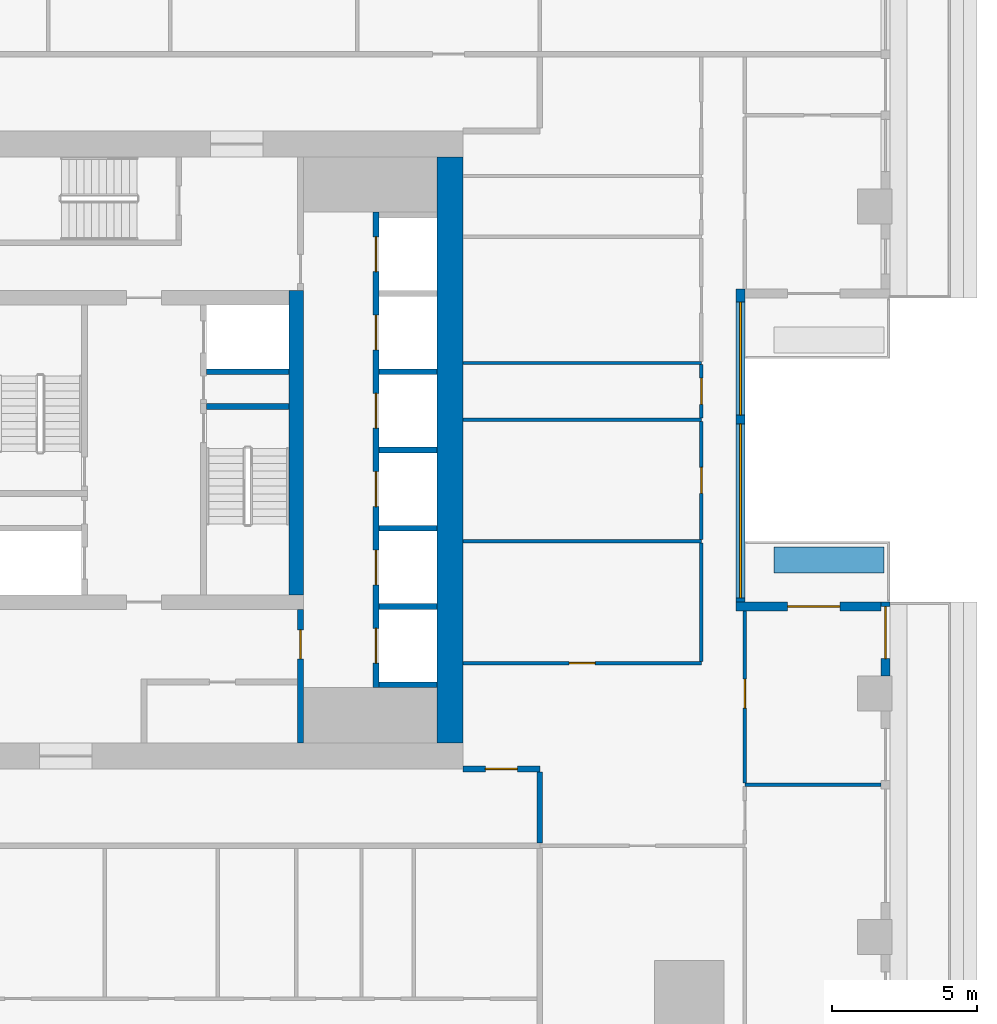
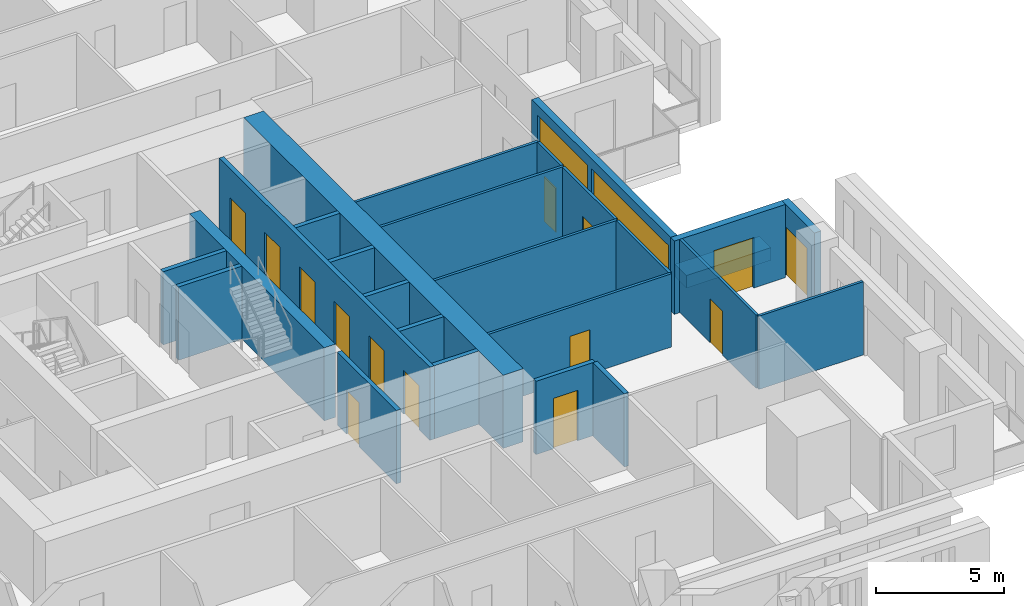
# One storey, part 5 of 15: 26 walls, 14 doors, 2 windows, 16 openings.
"""IFC4 building model written with IfcOpenShell, lengths in metres."""

from ifc_helpers import new_model, si_unit, direction, frame, frame_2d, origin, place, context, subcontext, project, spatial, rectangle, extrude, material, layer, layer_set, type_object, element, fill, save


model = new_model("IFC4")

# Units and contexts
model_context = context("Model", 3, precision=1e-05, world=origin(), true_north=direction((0.0, 1.0)))
body_context = subcontext(model_context, "Body", "Model", "MODEL_VIEW")
ifc_project = project(units=[si_unit("LENGTHUNIT", "METRE"), si_unit("AREAUNIT", "SQUARE_METRE"), si_unit("VOLUMEUNIT", "CUBIC_METRE"), si_unit("PLANEANGLEUNIT", "RADIAN"), si_unit("MASSUNIT", "GRAM", prefix="KILO")], contexts=[model_context])

# Site, building, storey
site_placement = place(None, origin())
site = spatial("IfcSite", under=ifc_project, at=site_placement, CompositionType="ELEMENT")
building_placement = place(site_placement, origin())
building = spatial("IfcBuilding", under=site, at=building_placement, Name="Khepri Terraces", CompositionType="ELEMENT")
storey_placement = place(building_placement, frame((0.0, 0.0, 196.199951171875)))
storey = spatial("IfcBuildingStorey", under=building, at=storey_placement, Name="L46", CompositionType="ELEMENT", Elevation=196.199951171875)

# Wall
ifc_material_1 = material(Name="Concrete C50/60", Category="concrete")
ifc_layer_1 = layer(ifc_material_1, 0.199951171875, Name="Concrete C50/60", Category="concrete")
ifc_layer_set_1 = layer_set([ifc_layer_1], Name="Concrete C50/60")
wall_type_1 = type_object("IfcWallType", Name="Core wall 200 C50/60", PredefinedType="SHEAR", material=ifc_layer_set_1)
wall_1_placement = place(storey_placement, frame((2.14990234375, 1.5, 0.0), z_axis=(0.0, 0.0, 1.0), x_axis=(1.0, 0.0, 0.0)))
element("IfcWall", 1, at=wall_1_placement, inside=storey, type_object=wall_type_1, Name="Core wall ST04 L46", PredefinedType="SHEAR", context=body_context, shape_type="SweptSolid", body=[
    extrude(rectangle(XDim=2.85009765625, YDim=0.199951171875, at=frame_2d((1.425048828125, 0.0))), origin(), (0.0, 0.0, 1.0), 3.47998046875),
])

# Wall, openings, doors
wall_2_placement = place(storey_placement, frame((8.0, -8.199951171875, 0.0), z_axis=(0.0, 0.0, 1.0), x_axis=(0.0, 1.0, 0.0)))
wall_2 = element("IfcWall", 2, at=wall_2_placement, inside=storey, type_object=wall_type_1, Name="Core wall SH02 L46", PredefinedType="SHEAR", context=body_context, shape_type="SweptSolid", body=[
    extrude(rectangle(XDim=16.39990234375, YDim=0.199951171875, at=frame_2d((8.199951171875, 0.0))), origin(), (0.0, 0.0, 1.0), 3.47998046875),
])
opening_1_placement = place(wall_2_placement, frame((0.85009765625, 0.0, 0.0)))
opening_1 = element("IfcOpeningElement", 3, at=opening_1_placement, cuts=wall_2, Name="Opening L46-C01", PredefinedType="OPENING", context=body_context, shape_type="SweptSolid", body=[
    extrude(rectangle(XDim=1.199951171875, YDim=2.10009765625, at=frame_2d((0.60009765625, 1.050048828125))), frame((0.0, 0.10986328125, 0.0), z_axis=(0.0, -1.0, 0.0), x_axis=(1.0, 0.0, 0.0)), (0.0, 0.0, 1.0), 0.219970703125),
])
opening_2_placement = place(wall_2_placement, frame((3.550048828125, 0.0, 0.0)))
opening_2 = element("IfcOpeningElement", 4, at=opening_2_placement, cuts=wall_2, Name="Opening L46-C02", PredefinedType="OPENING", context=body_context, shape_type="SweptSolid", body=[
    extrude(rectangle(XDim=1.199951171875, YDim=2.10009765625, at=frame_2d((0.60009765625, 1.050048828125))), frame((0.0, 0.10986328125, 0.0), z_axis=(0.0, -1.0, 0.0), x_axis=(1.0, 0.0, 0.0)), (0.0, 0.0, 1.0), 0.219970703125),
])
opening_3_placement = place(wall_2_placement, frame((6.25, 0.0, 0.0)))
opening_3 = element("IfcOpeningElement", 5, at=opening_3_placement, cuts=wall_2, Name="Opening L46-C03", PredefinedType="OPENING", context=body_context, shape_type="SweptSolid", body=[
    extrude(rectangle(XDim=1.199951171875, YDim=2.10009765625, at=frame_2d((0.60009765625, 1.050048828125))), frame((0.0, 0.10986328125, 0.0), z_axis=(0.0, -1.0, 0.0), x_axis=(1.0, 0.0, 0.0)), (0.0, 0.0, 1.0), 0.219970703125),
])
opening_4_placement = place(wall_2_placement, frame((8.949951171875, 0.0, 0.0)))
opening_4 = element("IfcOpeningElement", 6, at=opening_4_placement, cuts=wall_2, Name="Opening L46-C04", PredefinedType="OPENING", context=body_context, shape_type="SweptSolid", body=[
    extrude(rectangle(XDim=1.199951171875, YDim=2.10009765625, at=frame_2d((0.60009765625, 1.050048828125))), frame((0.0, 0.10986328125, 0.0), z_axis=(0.0, -1.0, 0.0), x_axis=(1.0, 0.0, 0.0)), (0.0, 0.0, 1.0), 0.219970703125),
])
opening_5_placement = place(wall_2_placement, frame((11.64990234375, 0.0, 0.0)))
opening_5 = element("IfcOpeningElement", 7, at=opening_5_placement, cuts=wall_2, Name="Opening L46-C05", PredefinedType="OPENING", context=body_context, shape_type="SweptSolid", body=[
    extrude(rectangle(XDim=1.199951171875, YDim=2.10009765625, at=frame_2d((0.60009765625, 1.050048828125))), frame((0.0, 0.10986328125, 0.0), z_axis=(0.0, -1.0, 0.0), x_axis=(1.0, 0.0, 0.0)), (0.0, 0.0, 1.0), 0.219970703125),
])
opening_6_placement = place(wall_2_placement, frame((14.35009765625, 0.0, 0.0)))
opening_6 = element("IfcOpeningElement", 8, at=opening_6_placement, cuts=wall_2, Name="Opening L46-C06", PredefinedType="OPENING", context=body_context, shape_type="SweptSolid", body=[
    extrude(rectangle(XDim=1.199951171875, YDim=2.10009765625, at=frame_2d((0.60009765625, 1.050048828125))), frame((0.0, 0.10986328125, 0.0), z_axis=(0.0, -1.0, 0.0), x_axis=(1.0, 0.0, 0.0)), (0.0, 0.0, 1.0), 0.219970703125),
])
ifc_material_2 = material(Name="Stainless steel 304", Category="steel")
door_type_1 = type_object("IfcDoorType", Name="DR-CORE-LANDING-1200", OperationType="NOTDEFINED", PredefinedType="DOOR", material=ifc_material_2)
door_1_placement = place(opening_1_placement, origin())
door_1 = element("IfcDoor", 9, at=door_1_placement, inside=storey, type_object=door_type_1, Name="Lift landing door L46-C01", OperationType="SLIDING_TO_LEFT", OverallHeight=2.10009765625, OverallWidth=1.199951171875, PredefinedType="DOOR", context=body_context, shape_type="SweptSolid", body=[
    extrude(rectangle(XDim=1.199951171875, YDim=2.10009765625, at=frame_2d((0.60009765625, 1.050048828125))), frame((0.0, 0.02490234375, 0.0), z_axis=(0.0, -1.0, 0.0), x_axis=(1.0, 0.0, 0.0)), (0.0, 0.0, 1.0), 0.050048828125),
])
fill(opening_1, door_1)
door_2_placement = place(opening_2_placement, origin())
door_2 = element("IfcDoor", 10, at=door_2_placement, inside=storey, type_object=door_type_1, Name="Lift landing door L46-C02", OperationType="SLIDING_TO_LEFT", OverallHeight=2.10009765625, OverallWidth=1.199951171875, PredefinedType="DOOR", context=body_context, shape_type="SweptSolid", body=[
    extrude(rectangle(XDim=1.199951171875, YDim=2.10009765625, at=frame_2d((0.60009765625, 1.050048828125))), frame((0.0, 0.02490234375, 0.0), z_axis=(0.0, -1.0, 0.0), x_axis=(1.0, 0.0, 0.0)), (0.0, 0.0, 1.0), 0.050048828125),
])
fill(opening_2, door_2)
door_3_placement = place(opening_3_placement, origin())
door_3 = element("IfcDoor", 11, at=door_3_placement, inside=storey, type_object=door_type_1, Name="Lift landing door L46-C03", OperationType="SLIDING_TO_LEFT", OverallHeight=2.10009765625, OverallWidth=1.199951171875, PredefinedType="DOOR", context=body_context, shape_type="SweptSolid", body=[
    extrude(rectangle(XDim=1.199951171875, YDim=2.10009765625, at=frame_2d((0.60009765625, 1.050048828125))), frame((0.0, 0.02490234375, 0.0), z_axis=(0.0, -1.0, 0.0), x_axis=(1.0, 0.0, 0.0)), (0.0, 0.0, 1.0), 0.050048828125),
])
fill(opening_3, door_3)
door_4_placement = place(opening_4_placement, origin())
door_4 = element("IfcDoor", 12, at=door_4_placement, inside=storey, type_object=door_type_1, Name="Lift landing door L46-C04", OperationType="SLIDING_TO_LEFT", OverallHeight=2.10009765625, OverallWidth=1.199951171875, PredefinedType="DOOR", context=body_context, shape_type="SweptSolid", body=[
    extrude(rectangle(XDim=1.199951171875, YDim=2.10009765625, at=frame_2d((0.60009765625, 1.050048828125))), frame((0.0, 0.02490234375, 0.0), z_axis=(0.0, -1.0, 0.0), x_axis=(1.0, 0.0, 0.0)), (0.0, 0.0, 1.0), 0.050048828125),
])
fill(opening_4, door_4)
door_5_placement = place(opening_5_placement, origin())
door_5 = element("IfcDoor", 13, at=door_5_placement, inside=storey, type_object=door_type_1, Name="Lift landing door L46-C05", OperationType="SLIDING_TO_LEFT", OverallHeight=2.10009765625, OverallWidth=1.199951171875, PredefinedType="DOOR", context=body_context, shape_type="SweptSolid", body=[
    extrude(rectangle(XDim=1.199951171875, YDim=2.10009765625, at=frame_2d((0.60009765625, 1.050048828125))), frame((0.0, 0.02490234375, 0.0), z_axis=(0.0, -1.0, 0.0), x_axis=(1.0, 0.0, 0.0)), (0.0, 0.0, 1.0), 0.050048828125),
])
fill(opening_5, door_5)
door_6_placement = place(opening_6_placement, origin())
door_6 = element("IfcDoor", 14, at=door_6_placement, inside=storey, type_object=door_type_1, Name="Lift landing door L46-C06", OperationType="SLIDING_TO_LEFT", OverallHeight=2.10009765625, OverallWidth=1.199951171875, PredefinedType="DOOR", context=body_context, shape_type="SweptSolid", body=[
    extrude(rectangle(XDim=1.199951171875, YDim=2.10009765625, at=frame_2d((0.60009765625, 1.050048828125))), frame((0.0, 0.02490234375, 0.0), z_axis=(0.0, -1.0, 0.0), x_axis=(1.0, 0.0, 0.0)), (0.0, 0.0, 1.0), 0.050048828125),
])
fill(opening_6, door_6)

# Walls
for number, where, z_axis, x_axis, name in (
    (15, (8.10009765625, -8.10009765625, 0.0), (0.0, 0.0, 1.0), (1.0, 0.0, 0.0), "Core wall SH03 L46"),
    (16, (8.10009765625, -5.39990234375, 0.0), (0.0, 0.0, 1.0), (1.0, 0.0, 0.0), "Core wall SH04 L46"),
    (17, (8.10009765625, -2.699951171875, 0.0), (0.0, 0.0, 1.0), (1.0, 0.0, 0.0), "Core wall SH08 L46"),
    (18, (8.10009765625, 0.0, 0.0), (0.0, 0.0, 1.0), (1.0, 0.0, 0.0), "Core wall SH09 L46"),
):
    element("IfcWall", number, at=place(storey_placement, frame(where, z_axis=z_axis, x_axis=x_axis)), inside=storey, type_object=wall_type_1, Name=name, PredefinedType="SHEAR", context=body_context, shape_type="SweptSolid", body=[
        extrude(rectangle(XDim=2.0, YDim=0.199951171875, at=frame_2d((1.0, 0.0))), origin(), (0.0, 0.0, 1.0), 3.47998046875),
    ])
wall_3_placement = place(storey_placement, frame((2.14990234375, 2.699951171875, 0.0), z_axis=(0.0, 0.0, 1.0), x_axis=(1.0, 0.0, 0.0)))
element("IfcWall", 19, at=wall_3_placement, inside=storey, type_object=wall_type_1, Name="Core wall SH12 L46", PredefinedType="SHEAR", context=body_context, shape_type="SweptSolid", body=[
    extrude(rectangle(XDim=2.85009765625, YDim=0.199951171875, at=frame_2d((1.425048828125, 0.0))), origin(), (0.0, 0.0, 1.0), 3.47998046875),
])
wall_4_placement = place(storey_placement, frame((8.10009765625, 2.699951171875, 0.0), z_axis=(0.0, 0.0, 1.0), x_axis=(1.0, 0.0, 0.0)))
element("IfcWall", 20, at=wall_4_placement, inside=storey, type_object=wall_type_1, Name="Core wall SH13 L46", PredefinedType="SHEAR", context=body_context, shape_type="SweptSolid", body=[
    extrude(rectangle(XDim=2.0, YDim=0.199951171875, at=frame_2d((1.0, 0.0))), origin(), (0.0, 0.0, 1.0), 3.47998046875),
])
ifc_layer_2 = layer(ifc_material_1, 0.5, Name="Concrete C50/60", Category="concrete")
ifc_layer_set_2 = layer_set([ifc_layer_2], Name="Concrete C50/60")
wall_type_2 = type_object("IfcWallType", Name="Core wall 500 C50/60", PredefinedType="SHEAR", material=ifc_layer_set_2)
wall_5_placement = place(storey_placement, frame((5.25, -5.0, 0.0), z_axis=(0.0, 0.0, 1.0), x_axis=(0.0, 1.0, 0.0)))
element("IfcWall", 21, at=wall_5_placement, inside=storey, type_object=wall_type_2, Name="Core wall BX03 L46", PredefinedType="SHEAR", context=body_context, shape_type="SweptSolid", body=[
    extrude(rectangle(XDim=10.5, YDim=0.5, at=frame_2d((5.25, 0.0))), origin(), (0.0, 0.0, 1.0), 3.47998046875),
])
ifc_layer_3 = layer(ifc_material_1, 0.89990234375, Name="Concrete C50/60", Category="concrete")
ifc_layer_set_3 = layer_set([ifc_layer_3], Name="Concrete C50/60")
wall_type_3 = type_object("IfcWallType", Name="Core wall 900 C50/60", PredefinedType="SHEAR", material=ifc_layer_set_3)
wall_6_placement = place(storey_placement, frame((10.550048828125, -10.10009765625, 0.0), z_axis=(0.0, 0.0, 1.0), x_axis=(0.0, 1.0, 0.0)))
element("IfcWall", 22, at=wall_6_placement, inside=storey, type_object=wall_type_3, Name="Core wall OW-E L46", PredefinedType="SHEAR", context=body_context, shape_type="SweptSolid", body=[
    extrude(rectangle(XDim=20.2001953125, YDim=0.89990234375, at=frame_2d((10.10009765625, 0.0))), origin(), (0.0, 0.0, 1.0), 3.47998046875),
])

# Wall, opening, door
ifc_material_3 = material(Name="Fire-rated gypsum board partition")
ifc_layer_4 = layer(ifc_material_3, 0.199951171875, Name="Fire-rated gypsum board partition")
ifc_layer_set_4 = layer_set([ifc_layer_4], Name="Fire-rated gypsum board partition")
wall_type_4 = type_object("IfcWallType", Name="WL-CORE-PART-200", PredefinedType="PARTITIONING", material=ifc_layer_set_4)
wall_7_placement = place(storey_placement, frame((5.39990234375, -10.10009765625, 0.0), z_axis=(0.0, 0.0, 1.0), x_axis=(0.0, 1.0, 0.0)))
wall_7 = element("IfcWall", 23, at=wall_7_placement, inside=storey, type_object=wall_type_4, Name="Core partition PT03 L46", PredefinedType="PARTITIONING", context=body_context, shape_type="SweptSolid", body=[
    extrude(rectangle(XDim=4.60009765625, YDim=0.199951171875, at=frame_2d((2.300048828125, 0.0))), origin(), (0.0, 0.0, 1.0), 3.47998046875),
])
opening_7_placement = place(wall_7_placement, frame((2.89990234375, 0.0, 0.0)))
opening_7 = element("IfcOpeningElement", 24, at=opening_7_placement, cuts=wall_7, Name="Opening L46-C19", PredefinedType="OPENING", context=body_context, shape_type="SweptSolid", body=[
    extrude(rectangle(XDim=1.0, YDim=2.10009765625, at=frame_2d((0.5, 1.050048828125))), frame((0.0, 0.10986328125, 0.0), z_axis=(0.0, -1.0, 0.0), x_axis=(1.0, 0.0, 0.0)), (0.0, 0.0, 1.0), 0.219970703125),
])
ifc_material_4 = material(Name="Painted steel", Category="steel")
door_type_2 = type_object("IfcDoorType", Name="DR-CORE-LOBBY-1000", OperationType="NOTDEFINED", PredefinedType="DOOR", material=ifc_material_4)
door_7_placement = place(opening_7_placement, origin())
door_7 = element("IfcDoor", 25, at=door_7_placement, inside=storey, type_object=door_type_2, Name="Lobby door L46-C19", OperationType="SINGLE_SWING_RIGHT", OverallHeight=2.10009765625, OverallWidth=1.0, PredefinedType="DOOR", context=body_context, shape_type="SweptSolid", body=[
    extrude(rectangle(XDim=1.0, YDim=2.10009765625, at=frame_2d((0.5, 1.050048828125))), frame((0.0, 0.02490234375, 0.0), z_axis=(0.0, -1.0, 0.0), x_axis=(1.0, 0.0, 0.0)), (0.0, 0.0, 1.0), 0.050048828125),
])
fill(opening_7, door_7)

# Wall
ifc_material_5 = material(Name="Fire-rated gypsum plasterboard partition, mineral wool")
ifc_layer_5 = layer(ifc_material_5, 0.199951171875, Name="Fire-rated gypsum plasterboard partition, mineral wool")
ifc_layer_set_5 = layer_set([ifc_layer_5], Name="Fire-rated gypsum plasterboard partition, mineral wool")
wall_type_5 = type_object("IfcWallType", Name="WL-CORR-200", PredefinedType="PARTITIONING", material=ifc_layer_set_5)
wall_8_placement = place(storey_placement, frame((13.64990234375, -13.550048828125, 0.0), z_axis=(0.0, 0.0, 1.0), x_axis=(0.0, 1.0, 0.0)))
element("IfcWall", 26, at=wall_8_placement, inside=storey, type_object=wall_type_5, Name="Partition P-026 L46", PredefinedType="PARTITIONING", context=body_context, shape_type="SweptSolid", body=[
    extrude(rectangle(XDim=2.449951171875, YDim=0.199951171875, at=frame_2d((1.22509765625, 0.0))), origin(), (0.0, 0.0, 1.0), 3.47998046875),
])

# Wall, opening, door
wall_9_placement = place(storey_placement, frame((11.0, -11.0, 0.0), z_axis=(0.0, 0.0, 1.0), x_axis=(1.0, 0.0, 0.0)))
wall_9 = element("IfcWall", 27, at=wall_9_placement, inside=storey, type_object=wall_type_5, Name="Partition P-033 L46", PredefinedType="PARTITIONING", context=body_context, shape_type="SweptSolid", body=[
    extrude(rectangle(XDim=2.64990234375, YDim=0.199951171875, at=frame_2d((1.324951171875, 0.0))), origin(), (0.0, 0.0, 1.0), 3.47998046875),
])
opening_8_placement = place(wall_9_placement, frame((0.77490234375, 0.0, 0.0)))
opening_8 = element("IfcOpeningElement", 28, at=opening_8_placement, cuts=wall_9, Name="Opening D1", PredefinedType="OPENING", context=body_context, shape_type="SweptSolid", body=[
    extrude(rectangle(XDim=1.10009765625, YDim=2.39990234375, at=frame_2d((0.550048828125, 1.199951171875))), frame((0.0, 0.10986328125, 0.0), z_axis=(0.0, -1.0, 0.0), x_axis=(1.0, 0.0, 0.0)), (0.0, 0.0, 1.0), 0.219970703125),
])
ifc_material_6 = material(Name="Solid-core timber door leaf, flat entrance door", Category="wood")
door_type_3 = type_object("IfcDoorType", Name="DR-ENT-1100", OperationType="NOTDEFINED", PredefinedType="DOOR", material=ifc_material_6)
door_8_placement = place(opening_8_placement, origin())
door_8 = element("IfcDoor", 29, at=door_8_placement, inside=storey, type_object=door_type_3, Name="Flat B1 entrance door", OperationType="SINGLE_SWING_LEFT", OverallHeight=2.39990234375, OverallWidth=1.10009765625, PredefinedType="DOOR", context=body_context, shape_type="SweptSolid", body=[
    extrude(rectangle(XDim=1.10009765625, YDim=2.39990234375, at=frame_2d((0.550048828125, 1.199951171875))), frame((0.0, 0.02490234375, 0.0), z_axis=(0.0, -1.0, 0.0), x_axis=(1.0, 0.0, 0.0)), (0.0, 0.0, 1.0), 0.050048828125),
])
fill(opening_8, door_8)

ifc_material_7 = material(Name="Precast concrete C50/60 warm stone", Category="masonry")
ifc_layer_6 = layer(ifc_material_7, 0.300048828125, Name="Precast concrete C50/60 warm stone", Category="masonry")
ifc_layer_set_6 = layer_set([ifc_layer_6], Name="Precast concrete C50/60 warm stone")
wall_type_6 = type_object("IfcWallType", Name="WL-EXT-PRECAST-300", PredefinedType="STANDARD", material=ifc_layer_set_6)
wall_10_placement = place(storey_placement, frame((25.570068359375, -7.800048828125, 0.0), z_axis=(0.0, 0.0, 1.0), x_axis=(0.0, 1.0, 0.0)))
wall_10 = element("IfcWall", 30, at=wall_10_placement, inside=storey, type_object=wall_type_6, Name="External wall L46 E", PredefinedType="STANDARD", context=body_context, shape_type="SweptSolid", body=[
    extrude(rectangle(XDim=2.550048828125, YDim=0.300048828125, at=frame_2d((1.27490234375, 0.0))), origin(), (0.0, 0.0, 1.0), 3.47998046875),
])
opening_9_placement = place(wall_10_placement, frame((0.60009765625, 0.0, 0.0)))
opening_9 = element("IfcOpeningElement", 31, at=opening_9_placement, cuts=wall_10, Name="Opening ED-L46-04", PredefinedType="OPENING", context=body_context, shape_type="SweptSolid", body=[
    extrude(rectangle(XDim=1.800048828125, YDim=2.39990234375, at=frame_2d((0.89990234375, 1.199951171875))), frame((0.0, 0.16015625, 0.0), z_axis=(0.0, -1.0, 0.0), x_axis=(1.0, 0.0, 0.0)), (0.0, 0.0, 1.0), 0.320068359375),
])
ifc_material_8 = material(Name="Anodised aluminium bronze glazed door", Category="aluminium")
door_type_4 = type_object("IfcDoorType", Name="DR-BAL-SLIDE-1800x2400", OperationType="NOTDEFINED", PredefinedType="DOOR", material=ifc_material_8)
door_9_placement = place(opening_9_placement, origin())
door_9 = element("IfcDoor", 32, at=door_9_placement, inside=storey, type_object=door_type_4, Name="Balcony door L46 E", OperationType="SLIDING_TO_LEFT", OverallHeight=2.39990234375, OverallWidth=1.800048828125, PredefinedType="DOOR", context=body_context, shape_type="SweptSolid", body=[
    extrude(rectangle(XDim=1.800048828125, YDim=2.39990234375, at=frame_2d((0.89990234375, 1.199951171875))), frame((0.0, 0.02490234375, 0.0), z_axis=(0.0, -1.0, 0.0), x_axis=(1.0, 0.0, 0.0)), (0.0, 0.0, 1.0), 0.050048828125),
])
fill(opening_9, door_9)

wall_11_placement = place(storey_placement, frame((25.419921875, -5.39990234375, 0.0), z_axis=(0.0, 0.0, 1.0), x_axis=(-1.0, 0.0, 0.0)))
wall_11 = element("IfcWall", 33, at=wall_11_placement, inside=storey, type_object=wall_type_6, Name="External wall L46 N", PredefinedType="STANDARD", context=body_context, shape_type="SweptSolid", body=[
    extrude(rectangle(XDim=5.0, YDim=0.300048828125, at=frame_2d((2.5, 0.0))), origin(), (0.0, 0.0, 1.0), 3.47998046875),
])
opening_10_placement = place(wall_11_placement, frame((1.419921875, 0.0, 0.0)))
opening_10 = element("IfcOpeningElement", 34, at=opening_10_placement, cuts=wall_11, Name="Opening ED-L46-05", PredefinedType="OPENING", context=body_context, shape_type="SweptSolid", body=[
    extrude(rectangle(XDim=1.800048828125, YDim=2.39990234375, at=frame_2d((0.89990234375, 1.199951171875))), frame((0.0, 0.16015625, 0.0), z_axis=(0.0, -1.0, 0.0), x_axis=(1.0, 0.0, 0.0)), (0.0, 0.0, 1.0), 0.320068359375),
])
door_10_placement = place(opening_10_placement, origin())
door_10 = element("IfcDoor", 35, at=door_10_placement, inside=storey, type_object=door_type_4, Name="Balcony door L46 N", OperationType="SLIDING_TO_LEFT", OverallHeight=2.39990234375, OverallWidth=1.800048828125, PredefinedType="DOOR", context=body_context, shape_type="SweptSolid", body=[
    extrude(rectangle(XDim=1.800048828125, YDim=2.39990234375, at=frame_2d((0.89990234375, 1.199951171875))), frame((0.0, 0.02490234375, 0.0), z_axis=(0.0, -1.0, 0.0), x_axis=(1.0, 0.0, 0.0)), (0.0, 0.0, 1.0), 0.050048828125),
])
fill(opening_10, door_10)

# Wall, openings, windows
wall_12_placement = place(storey_placement, frame((20.570068359375, -5.25, 0.0), z_axis=(0.0, 0.0, 1.0), x_axis=(0.0, 1.0, 0.0)))
wall_12 = element("IfcWall", 36, at=wall_12_placement, inside=storey, type_object=wall_type_6, Name="External wall L46 E", PredefinedType="STANDARD", context=body_context, shape_type="SweptSolid", body=[
    extrude(rectangle(XDim=10.800048828125, YDim=0.300048828125, at=frame_2d((5.39990234375, 0.0))), origin(), (0.0, 0.0, 1.0), 3.47998046875),
])
opening_11_placement = place(wall_12_placement, frame((0.14990234375, 0.0, 0.89990234375)))
opening_11 = element("IfcOpeningElement", 37, at=opening_11_placement, cuts=wall_12, Name="Opening W3", PredefinedType="OPENING", context=body_context, shape_type="SweptSolid", body=[
    extrude(rectangle(XDim=6.0, YDim=2.10009765625, at=frame_2d((3.0, 1.050048828125))), frame((0.0, 0.16015625, 0.0), z_axis=(0.0, -1.0, 0.0), x_axis=(1.0, 0.0, 0.0)), (0.0, 0.0, 1.0), 0.320068359375),
])
opening_12_placement = place(wall_12_placement, frame((6.449951171875, 0.0, 0.89990234375)))
opening_12 = element("IfcOpeningElement", 38, at=opening_12_placement, cuts=wall_12, Name="Opening W2", PredefinedType="OPENING", context=body_context, shape_type="SweptSolid", body=[
    extrude(rectangle(XDim=3.89990234375, YDim=2.10009765625, at=frame_2d((1.949951171875, 1.050048828125))), frame((0.0, 0.16015625, 0.0), z_axis=(0.0, -1.0, 0.0), x_axis=(1.0, 0.0, 0.0)), (0.0, 0.0, 1.0), 0.320068359375),
])
ifc_material_9 = material(Name="Clear glass", Category="glass")
window_type_1 = type_object("IfcWindowType", Name="WIN-RES-3900x2100", PartitioningType="SINGLE_PANEL", PredefinedType="WINDOW", material=ifc_material_9)
window_1_placement = place(opening_12_placement, origin())
window_1 = element("IfcWindow", 39, at=window_1_placement, inside=storey, type_object=window_type_1, Name="Window L46 E", OverallHeight=2.10009765625, OverallWidth=3.89990234375, PartitioningType="SINGLE_PANEL", PredefinedType="WINDOW", context=body_context, shape_type="SweptSolid", body=[
    extrude(rectangle(XDim=3.89990234375, YDim=2.10009765625, at=frame_2d((1.949951171875, 1.050048828125))), frame((0.0, 0.030029296875, 0.0), z_axis=(0.0, -1.0, 0.0), x_axis=(1.0, 0.0, 0.0)), (0.0, 0.0, 1.0), 0.06005859375),
])
fill(opening_12, window_1)
window_type_2 = type_object("IfcWindowType", Name="WIN-RES-6000x2100", PartitioningType="SINGLE_PANEL", PredefinedType="WINDOW", material=ifc_material_9)
window_2_placement = place(opening_11_placement, origin())
window_2 = element("IfcWindow", 40, at=window_2_placement, inside=storey, type_object=window_type_2, Name="Window L46 E", OverallHeight=2.10009765625, OverallWidth=6.0, PartitioningType="SINGLE_PANEL", PredefinedType="WINDOW", context=body_context, shape_type="SweptSolid", body=[
    extrude(rectangle(XDim=6.0, YDim=2.10009765625, at=frame_2d((3.0, 1.050048828125))), frame((0.0, 0.030029296875, 0.0), z_axis=(0.0, -1.0, 0.0), x_axis=(1.0, 0.0, 0.0)), (0.0, 0.0, 1.0), 0.06005859375),
])
fill(opening_11, window_2)

# Wall
ifc_material_10 = material(Name="Gypsum plasterboard partition")
ifc_layer_7 = layer(ifc_material_10, 0.1201171875, Name="Gypsum plasterboard partition")
ifc_layer_set_7 = layer_set([ifc_layer_7], Name="Gypsum plasterboard partition")
wall_type_7 = type_object("IfcWallType", Name="WL-PART-120", PredefinedType="PARTITIONING", material=ifc_layer_set_7)
wall_13_placement = place(storey_placement, frame((20.719970703125, -11.550048828125, 0.0), z_axis=(0.0, 0.0, 1.0), x_axis=(1.0, 0.0, 0.0)))
element("IfcWall", 41, at=wall_13_placement, inside=storey, type_object=wall_type_7, Name="Partition P-029 L46", PredefinedType="PARTITIONING", context=body_context, shape_type="SweptSolid", body=[
    extrude(rectangle(XDim=4.699951171875, YDim=0.1201171875, at=frame_2d((2.35009765625, 0.0))), origin(), (0.0, 0.0, 1.0), 3.47998046875),
])

# Wall, opening, door
wall_14_placement = place(storey_placement, frame((20.719970703125, -11.489990234375, 0.0), z_axis=(0.0, 0.0, 1.0), x_axis=(0.0, 1.0, 0.0)))
wall_14 = element("IfcWall", 42, at=wall_14_placement, inside=storey, type_object=wall_type_7, Name="Partition P-032 L46", PredefinedType="PARTITIONING", context=body_context, shape_type="SweptSolid", body=[
    extrude(rectangle(XDim=5.93994140625, YDim=0.1201171875, at=frame_2d((2.969970703125, 0.0))), origin(), (0.0, 0.0, 1.0), 3.47998046875),
])
opening_13_placement = place(wall_14_placement, frame((2.590087890625, 0.0, 0.0)))
opening_13 = element("IfcOpeningElement", 43, at=opening_13_placement, cuts=wall_14, Name="Opening D2", PredefinedType="OPENING", context=body_context, shape_type="SweptSolid", body=[
    extrude(rectangle(XDim=1.0, YDim=2.10009765625, at=frame_2d((0.5, 1.050048828125))), frame((0.0, 0.070068359375, 0.0), z_axis=(0.0, -1.0, 0.0), x_axis=(1.0, 0.0, 0.0)), (0.0, 0.0, 1.0), 0.14013671875),
])
ifc_material_11 = material(Name="Timber door leaf, living room door", Category="wood")
door_type_5 = type_object("IfcDoorType", Name="DR-INT-1000", OperationType="NOTDEFINED", PredefinedType="DOOR", material=ifc_material_11)
door_11_placement = place(opening_13_placement, frame((1.0, 0.0, 0.0), z_axis=(0.0, 0.0, 1.0), x_axis=(-1.0, 0.0, 0.0)))
door_11 = element("IfcDoor", 44, at=door_11_placement, inside=storey, type_object=door_type_5, Name="Door Sun Lounge", OperationType="SINGLE_SWING_LEFT", OverallHeight=2.10009765625, OverallWidth=1.0, PredefinedType="DOOR", context=body_context, shape_type="SweptSolid", body=[
    extrude(rectangle(XDim=1.0, YDim=2.10009765625, at=frame_2d((0.5, 1.050048828125))), frame((0.0, 0.02490234375, 0.0), z_axis=(0.0, -1.0, 0.0), x_axis=(1.0, 0.0, 0.0)), (0.0, 0.0, 1.0), 0.050048828125),
])
fill(opening_13, door_11)

wall_15_placement = place(storey_placement, frame((11.0, -7.35009765625, 0.0), z_axis=(0.0, 0.0, 1.0), x_axis=(1.0, 0.0, 0.0)))
wall_15 = element("IfcWall", 45, at=wall_15_placement, inside=storey, type_object=wall_type_7, Name="Partition P-037 L46", PredefinedType="PARTITIONING", context=body_context, shape_type="SweptSolid", body=[
    extrude(rectangle(XDim=8.219970703125, YDim=0.1201171875, at=frame_2d((4.10986328125, 0.0))), origin(), (0.0, 0.0, 1.0), 3.47998046875),
])
opening_14_placement = place(wall_15_placement, frame((3.659912109375, 0.0, 0.0)))
opening_14 = element("IfcOpeningElement", 46, at=opening_14_placement, cuts=wall_15, Name="Opening D3", PredefinedType="OPENING", context=body_context, shape_type="SweptSolid", body=[
    extrude(rectangle(XDim=0.89990234375, YDim=2.10009765625, at=frame_2d((0.449951171875, 1.050048828125))), frame((0.0, 0.070068359375, 0.0), z_axis=(0.0, -1.0, 0.0), x_axis=(1.0, 0.0, 0.0)), (0.0, 0.0, 1.0), 0.14013671875),
])
ifc_material_12 = material(Name="Timber door leaf", Category="wood")
door_type_6 = type_object("IfcDoorType", Name="DR-INT-900", OperationType="NOTDEFINED", PredefinedType="DOOR", material=ifc_material_12)
door_12_placement = place(opening_14_placement, origin())
door_12 = element("IfcDoor", 47, at=door_12_placement, inside=storey, type_object=door_type_6, Name="Door Kitchen", OperationType="SINGLE_SWING_RIGHT", OverallHeight=2.10009765625, OverallWidth=0.89990234375, PredefinedType="DOOR", context=body_context, shape_type="SweptSolid", body=[
    extrude(rectangle(XDim=0.89990234375, YDim=2.10009765625, at=frame_2d((0.449951171875, 1.050048828125))), frame((0.0, 0.02490234375, 0.0), z_axis=(0.0, -1.0, 0.0), x_axis=(1.0, 0.0, 0.0)), (0.0, 0.0, 1.0), 0.050048828125),
])
fill(opening_14, door_12)

# Walls
wall_16_placement = place(storey_placement, frame((19.219970703125, -7.2900390625, 0.0), z_axis=(0.0, 0.0, 1.0), x_axis=(0.0, 1.0, 0.0)))
element("IfcWall", 48, at=wall_16_placement, inside=storey, type_object=wall_type_7, Name="Partition P-039 L46", PredefinedType="PARTITIONING", context=body_context, shape_type="SweptSolid", body=[
    extrude(rectangle(XDim=4.080078125, YDim=0.1201171875, at=frame_2d((2.0400390625, 0.0))), origin(), (0.0, 0.0, 1.0), 3.47998046875),
])
wall_17_placement = place(storey_placement, frame((11.0, -3.14990234375, 0.0), z_axis=(0.0, 0.0, 1.0), x_axis=(1.0, 0.0, 0.0)))
element("IfcWall", 49, at=wall_17_placement, inside=storey, type_object=wall_type_7, Name="Partition P-044 L46", PredefinedType="PARTITIONING", context=body_context, shape_type="SweptSolid", body=[
    extrude(rectangle(XDim=8.219970703125, YDim=0.1201171875, at=frame_2d((4.10986328125, 0.0))), origin(), (0.0, 0.0, 1.0), 3.47998046875),
])

# Wall, opening, door
wall_18_placement = place(storey_placement, frame((19.219970703125, -3.090087890625, 0.0), z_axis=(0.0, 0.0, 1.0), x_axis=(0.0, 1.0, 0.0)))
wall_18 = element("IfcWall", 50, at=wall_18_placement, inside=storey, type_object=wall_type_7, Name="Partition P-047 L46", PredefinedType="PARTITIONING", context=body_context, shape_type="SweptSolid", body=[
    extrude(rectangle(XDim=4.080078125, YDim=0.1201171875, at=frame_2d((2.0400390625, 0.0))), origin(), (0.0, 0.0, 1.0), 3.47998046875),
])
opening_15_placement = place(wall_18_placement, frame((1.590087890625, 0.0, 0.0)))
opening_15 = element("IfcOpeningElement", 51, at=opening_15_placement, cuts=wall_18, Name="Opening D3", PredefinedType="OPENING", context=body_context, shape_type="SweptSolid", body=[
    extrude(rectangle(XDim=0.89990234375, YDim=2.10009765625, at=frame_2d((0.449951171875, 1.050048828125))), frame((0.0, 0.070068359375, 0.0), z_axis=(0.0, -1.0, 0.0), x_axis=(1.0, 0.0, 0.0)), (0.0, 0.0, 1.0), 0.14013671875),
])
door_13_placement = place(opening_15_placement, origin())
door_13 = element("IfcDoor", 52, at=door_13_placement, inside=storey, type_object=door_type_6, Name="Door Service Store", OperationType="SINGLE_SWING_RIGHT", OverallHeight=2.10009765625, OverallWidth=0.89990234375, PredefinedType="DOOR", context=body_context, shape_type="SweptSolid", body=[
    extrude(rectangle(XDim=0.89990234375, YDim=2.10009765625, at=frame_2d((0.449951171875, 1.050048828125))), frame((0.0, 0.02490234375, 0.0), z_axis=(0.0, -1.0, 0.0), x_axis=(1.0, 0.0, 0.0)), (0.0, 0.0, 1.0), 0.050048828125),
])
fill(opening_15, door_13)

# Wall
wall_19_placement = place(storey_placement, frame((11.0, 1.050048828125, 0.0), z_axis=(0.0, 0.0, 1.0), x_axis=(1.0, 0.0, 0.0)))
element("IfcWall", 53, at=wall_19_placement, inside=storey, type_object=wall_type_7, Name="Partition P-049 L46", PredefinedType="PARTITIONING", context=body_context, shape_type="SweptSolid", body=[
    extrude(rectangle(XDim=8.219970703125, YDim=0.1201171875, at=frame_2d((4.10986328125, 0.0))), origin(), (0.0, 0.0, 1.0), 3.47998046875),
])

# Wall, opening, door
wall_20_placement = place(storey_placement, frame((19.219970703125, 1.110107421875, 0.0), z_axis=(0.0, 0.0, 1.0), x_axis=(0.0, 1.0, 0.0)))
wall_20 = element("IfcWall", 54, at=wall_20_placement, inside=storey, type_object=wall_type_7, Name="Partition P-051 L46", PredefinedType="PARTITIONING", context=body_context, shape_type="SweptSolid", body=[
    extrude(rectangle(XDim=1.829833984375, YDim=0.1201171875, at=frame_2d((0.9150390625, 0.0))), origin(), (0.0, 0.0, 1.0), 3.47998046875),
])
opening_16_placement = place(wall_20_placement, frame((0.465087890625, 0.0, 0.0)))
opening_16 = element("IfcOpeningElement", 55, at=opening_16_placement, cuts=wall_20, Name="Opening D4", PredefinedType="OPENING", context=body_context, shape_type="SweptSolid", body=[
    extrude(rectangle(XDim=0.89990234375, YDim=2.10009765625, at=frame_2d((0.449951171875, 1.050048828125))), frame((0.0, 0.070068359375, 0.0), z_axis=(0.0, -1.0, 0.0), x_axis=(1.0, 0.0, 0.0)), (0.0, 0.0, 1.0), 0.14013671875),
])
ifc_material_13 = material(Name="Timber door leaf, moisture resistant", Category="wood")
door_type_7 = type_object("IfcDoorType", Name="DR-WET-900", OperationType="NOTDEFINED", PredefinedType="DOOR", material=ifc_material_13)
door_14_placement = place(opening_16_placement, origin())
door_14 = element("IfcDoor", 56, at=door_14_placement, inside=storey, type_object=door_type_7, Name="Door Powder Room", OperationType="SINGLE_SWING_LEFT", OverallHeight=2.10009765625, OverallWidth=0.89990234375, PredefinedType="DOOR", context=body_context, shape_type="SweptSolid", body=[
    extrude(rectangle(XDim=0.89990234375, YDim=2.10009765625, at=frame_2d((0.449951171875, 1.050048828125))), frame((0.0, 0.02490234375, 0.0), z_axis=(0.0, -1.0, 0.0), x_axis=(1.0, 0.0, 0.0)), (0.0, 0.0, 1.0), 0.050048828125),
])
fill(opening_16, door_14)

# Walls
wall_21_placement = place(storey_placement, frame((11.0, 3.0, 0.0), z_axis=(0.0, 0.0, 1.0), x_axis=(1.0, 0.0, 0.0)))
element("IfcWall", 57, at=wall_21_placement, inside=storey, type_object=wall_type_7, Name="Partition P-052 L46", PredefinedType="PARTITIONING", context=body_context, shape_type="SweptSolid", body=[
    extrude(rectangle(XDim=8.219970703125, YDim=0.1201171875, at=frame_2d((4.10986328125, 0.0))), origin(), (0.0, 0.0, 1.0), 3.47998046875),
])
ifc_layer_8 = layer(ifc_material_7, 0.89990234375, Name="Precast concrete C50/60 warm stone", Category="masonry")
ifc_layer_set_8 = layer_set([ifc_layer_8], Name="Precast concrete C50/60 warm stone")
wall_type_8 = type_object("IfcWallType", Name="WL-PLANTER-900", PredefinedType="MOVABLE", material=ifc_layer_set_8)
wall_22_placement = place(storey_placement, frame((21.719970703125, -3.800048828125, 0.0), z_axis=(0.0, 0.0, 1.0), x_axis=(1.0, 0.0, 0.0)))
element("IfcWall", 58, at=wall_22_placement, inside=storey, type_object=wall_type_8, Name="Planter L46", PredefinedType="MOVABLE", context=body_context, shape_type="SweptSolid", body=[
    extrude(rectangle(XDim=3.800048828125, YDim=0.89990234375, at=frame_2d((1.89990234375, 0.0))), origin(), (0.0, 0.0, 1.0), 0.60009765625),
])

save(model, "model.ifc")
